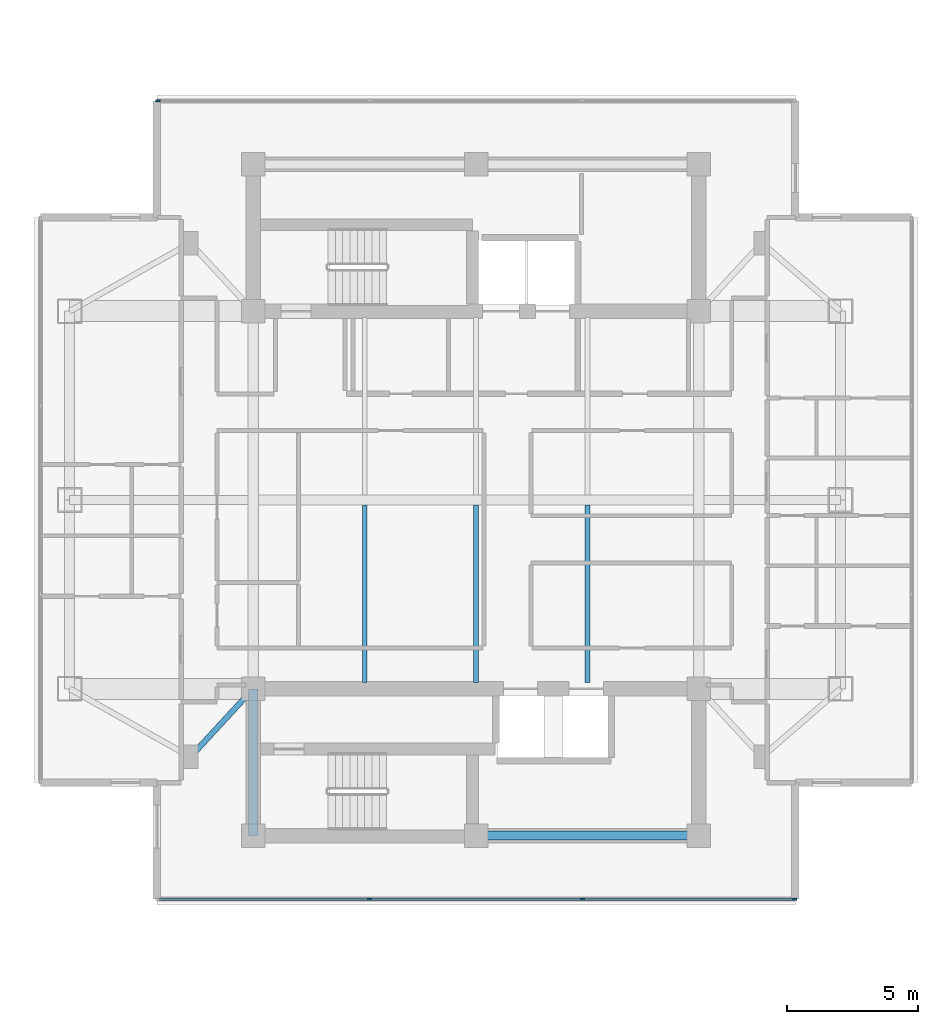
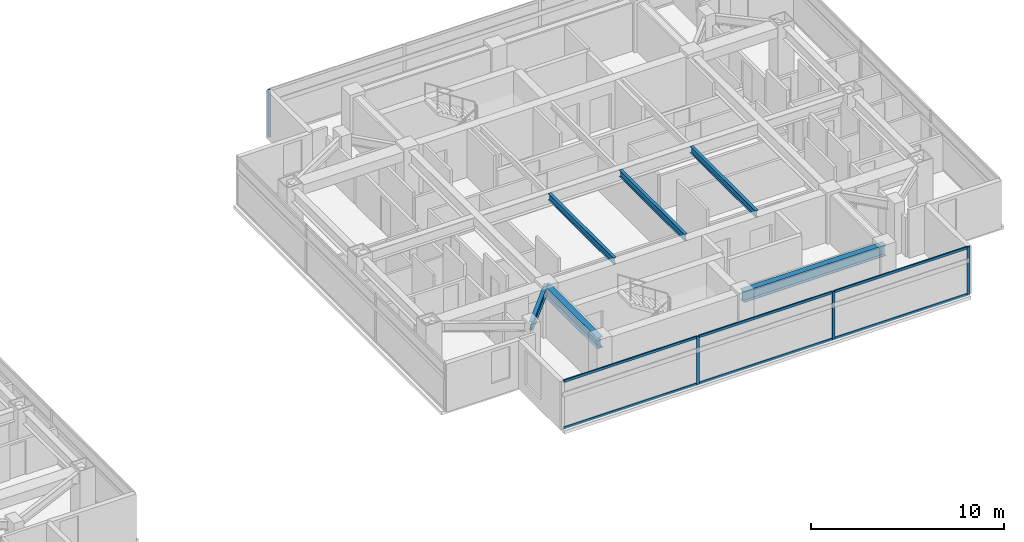
# One storey, part 9 of 24: 10 members, 6 beams, 2 elements without a shape of their own.
"""IFC4 building model written with IfcOpenShell, lengths in metres."""

from ifc_helpers import new_model, si_unit, direction, frame, origin, origin_2d, place, context, subcontext, project, spatial, rectangle, i_section, extrude, material, material_profile, profile_set, type_object, element, aggregate, save


model = new_model("IFC4")

# Units and contexts
model_context = context("Model", 3, precision=1e-05, world=origin(), true_north=direction((0.0, 1.0)))
body_context = subcontext(model_context, "Body", "Model", "MODEL_VIEW")
ifc_project = project(units=[si_unit("LENGTHUNIT", "METRE"), si_unit("AREAUNIT", "SQUARE_METRE"), si_unit("VOLUMEUNIT", "CUBIC_METRE"), si_unit("PLANEANGLEUNIT", "RADIAN"), si_unit("MASSUNIT", "GRAM", prefix="KILO")], contexts=[model_context])

# Site, building, storey
site_placement = place(None, origin())
site = spatial("IfcSite", under=ifc_project, at=site_placement, CompositionType="ELEMENT")
building_placement = place(site_placement, origin())
building = spatial("IfcBuilding", under=site, at=building_placement, Name="Mirazonda Arch Towers", CompositionType="ELEMENT")
storey_placement = place(building_placement, frame((0.0, 0.0, 186.89990234375)))
storey = spatial("IfcBuildingStorey", under=building, at=storey_placement, Name="L53", CompositionType="ELEMENT", Elevation=186.89990234375)

# Beams
ifc_material_1 = material(Name="Steel ASTM A992 Grade 50", Category="steel")
ifc_material_profile_1 = material_profile(ifc_material_1, i_section(OverallWidth=0.180908203125, OverallDepth=0.4169921875, WebThickness=0.010986328125, FlangeThickness=0.018310546875, at=origin_2d()), Name="W16X57")
ifc_profile_set_1 = profile_set([ifc_material_profile_1], Name="Steel ASTM A992 Grade 50")
beam_type_1 = type_object("IfcBeamType", Name="BM-INT-W16X57", PredefinedType="JOIST", material=ifc_profile_set_1)
for number, where, z_axis, x_axis, name in (
    (1, (72.25, 21.0400390625, 2.841552734375), (0.0, 1.0, 0.0), (-1.0, 0.0, 0.0), "L53 Floor Beam BM-T2-L53-J-722-20"),
    (2, (76.5, 21.0400390625, 2.841552734375), (0.0, 1.0, 0.0), (-1.0, 0.0, 0.0), "L53 Floor Beam BM-T2-L53-J-765-20"),
    (3, (80.75, 21.0400390625, 2.841552734375), (0.0, 1.0, 0.0), (-1.0, 0.0, 0.0), "L53 Floor Beam BM-T2-L53-J-807-20"),
):
    element("IfcBeam", number, at=place(storey_placement, frame(where, z_axis=z_axis, x_axis=x_axis)), inside=storey, type_object=beam_type_1, Name=name, PredefinedType="JOIST", context=body_context, shape_type="SweptSolid", body=[
        extrude(i_section(OverallWidth=0.180908203125, OverallDepth=0.4169921875, WebThickness=0.010986328125, FlangeThickness=0.018310546875, at=origin_2d()), origin(), (0.0, 0.0, 1.0), 6.763916015625),
    ])
ifc_material_profile_2 = material_profile(ifc_material_1, i_section(OverallWidth=0.214111328125, OverallDepth=0.549072265625, WebThickness=0.0146484375, FlangeThickness=0.023681640625, at=origin_2d()), Name="W21X93")
ifc_profile_set_2 = profile_set([ifc_material_profile_2], Name="Steel ASTM A992 Grade 50")
beam_type_2 = type_object("IfcBeamType", Name="BM-INT-W21X93", PredefinedType="BEAM", material=ifc_profile_set_2)
beam_1_placement = place(storey_placement, frame((65.60009765625, 18.199951171875, 2.775634765625), z_axis=(0.678251444854, 0.734829897019, 0.0), x_axis=(-0.734829897019, 0.678251444854, 0.0)))
element("IfcBeam", 4, at=beam_1_placement, inside=storey, type_object=beam_type_2, Name="L53 Floor Beam BM-T2-L53-PL-SW1", PredefinedType="BEAM", context=body_context, shape_type="SweptSolid", body=[
    extrude(i_section(OverallWidth=0.214111328125, OverallDepth=0.549072265625, WebThickness=0.0146484375, FlangeThickness=0.023681640625, at=origin_2d()), origin(), (0.0, 0.0, 1.0), 3.538330078125),
])
ifc_material_profile_3 = material_profile(ifc_material_1, i_section(OverallWidth=0.35498046875, OverallDepth=0.696044921875, WebThickness=0.015380859375, FlangeThickness=0.02490234375, at=origin_2d()), Name="W27X146")
ifc_profile_set_3 = profile_set([ifc_material_profile_3], Name="Steel ASTM A992 Grade 50")
beam_type_3 = type_object("IfcBeamType", Name="BM-INT-W27X146", PredefinedType="BEAM", material=ifc_profile_set_3)
beam_2_placement = place(storey_placement, frame((76.5, 15.199951171875, 2.7021484375), z_axis=(1.0, 0.0, 0.0), x_axis=(0.0, 1.0, 0.0)))
element("IfcBeam", 5, at=beam_2_placement, inside=storey, type_object=beam_type_3, Name="L53 Floor Beam BM-T2-L53-CS2", PredefinedType="BEAM", context=body_context, shape_type="SweptSolid", body=[
    extrude(i_section(OverallWidth=0.35498046875, OverallDepth=0.696044921875, WebThickness=0.015380859375, FlangeThickness=0.02490234375, at=origin_2d()), origin(), (0.0, 0.0, 1.0), 8.5),
])
beam_3_placement = place(storey_placement, frame((68.0, 15.199951171875, 2.7021484375), z_axis=(0.0, 1.0, 0.0), x_axis=(-1.0, 0.0, 0.0)))
element("IfcBeam", 6, at=beam_3_placement, inside=storey, type_object=beam_type_3, Name="L53 Floor Beam BM-T2-L53-CSW", PredefinedType="BEAM", context=body_context, shape_type="SweptSolid", body=[
    extrude(i_section(OverallWidth=0.35498046875, OverallDepth=0.696044921875, WebThickness=0.015380859375, FlangeThickness=0.02490234375, at=origin_2d()), origin(), (0.0, 0.0, 1.0), 5.60009765625),
])

# Curtain wall, members
ifc_material_2 = material(Name="Anodised Aluminium and Low-E Glass", Category="aluminium")
curtain_wall_type = type_object("IfcCurtainWallType", Name="CW-RES-UNIT", PredefinedType="NOTDEFINED", material=ifc_material_2)
curtain_wall_1_placement = place(storey_placement, origin())
curtain_wall_1 = element("IfcCurtainWall", 7, at=curtain_wall_1_placement, inside=storey, type_object=curtain_wall_type, Name="L53 T2 S Facade CW-L53-T2-S", PredefinedType="NOTDEFINED")
ifc_material_3 = material(Name="Anodised Aluminium Alloy", Category="aluminium")
ifc_material_profile_4 = material_profile(ifc_material_3, rectangle(XDim=0.074951171875, YDim=0.175048828125, at=origin_2d()), Name="ALU-MULL-75x175")
ifc_profile_set_4 = profile_set([ifc_material_profile_4], Name="Anodised Aluminium Alloy")
member_type_1 = type_object("IfcMemberType", Name="MULL-CW-RES-UNIT", PredefinedType="MULLION", material=ifc_profile_set_4)
member_1_placement = place(storey_placement, frame((88.63818359375, 12.7783203125, 0.0), z_axis=(0.0, 0.0, 1.0), x_axis=(0.0, -1.0, 0.0)))
member_1 = element("IfcMember", 8, at=member_1_placement, type_object=member_type_1, Name="CW-104 mullion 1", PredefinedType="MULLION", context=body_context, shape_type="SweptSolid", body=[
    extrude(rectangle(XDim=0.074951171875, YDim=0.175048828125, at=origin_2d()), origin(), (0.0, 0.0, 1.0), 3.030029296875),
])
member_2_placement = place(storey_placement, frame((80.55859375, 12.7783203125, 0.0), z_axis=(0.0, 0.0, 1.0), x_axis=(0.0, -1.0, 0.0)))
member_2 = element("IfcMember", 9, at=member_2_placement, type_object=member_type_1, Name="CW-104 mullion 2", PredefinedType="MULLION", context=body_context, shape_type="SweptSolid", body=[
    extrude(rectangle(XDim=0.074951171875, YDim=0.175048828125, at=origin_2d()), origin(), (0.0, 0.0, 1.0), 3.030029296875),
])
member_3_placement = place(storey_placement, frame((72.44140625, 12.7783203125, 0.0), z_axis=(0.0, 0.0, 1.0), x_axis=(0.0, -1.0, 0.0)))
member_3 = element("IfcMember", 10, at=member_3_placement, type_object=member_type_1, Name="CW-104 mullion 3", PredefinedType="MULLION", context=body_context, shape_type="SweptSolid", body=[
    extrude(rectangle(XDim=0.074951171875, YDim=0.175048828125, at=origin_2d()), origin(), (0.0, 0.0, 1.0), 3.030029296875),
])

# Curtain wall, member
curtain_wall_2_placement = place(storey_placement, origin())
curtain_wall_2 = element("IfcCurtainWall", 11, at=curtain_wall_2_placement, inside=storey, type_object=curtain_wall_type, Name="L53 T2 N Facade CW-L53-T2-N", PredefinedType="NOTDEFINED")
member_4_placement = place(storey_placement, frame((64.36181640625, 43.2216796875, 0.0), z_axis=(0.0, 0.0, 1.0), x_axis=(0.0, 1.0, 0.0)))
member_4 = element("IfcMember", 12, at=member_4_placement, type_object=member_type_1, Name="CW-104 mullion 1", PredefinedType="MULLION", context=body_context, shape_type="SweptSolid", body=[
    extrude(rectangle(XDim=0.074951171875, YDim=0.175048828125, at=origin_2d()), origin(), (0.0, 0.0, 1.0), 3.030029296875),
])
aggregate(curtain_wall_2, [member_4])

# Member
ifc_material_profile_5 = material_profile(ifc_material_3, rectangle(XDim=0.074951171875, YDim=0.155029296875, at=origin_2d()), Name="ALU-TRAN-75x155")
ifc_profile_set_5 = profile_set([ifc_material_profile_5], Name="Anodised Aluminium Alloy")
member_type_2 = type_object("IfcMemberType", Name="TRAN-CW-RES-UNIT", PredefinedType="USERDEFINED", material=ifc_profile_set_5)
member_5_placement = place(storey_placement, frame((88.600830078125, 12.7783203125, 0.03759765625), z_axis=(-1.0, 0.0, 0.0), x_axis=(0.0, -1.0, 0.0)))
member_5 = element("IfcMember", 13, at=member_5_placement, type_object=member_type_2, Name="CW-104 transom 1.1", ObjectType="TRANSOM", PredefinedType="USERDEFINED", context=body_context, shape_type="SweptSolid", body=[
    extrude(rectangle(XDim=0.074951171875, YDim=0.155029296875, at=origin_2d()), origin(), (0.0, 0.0, 1.0), 8.004638671875),
])

member_6_placement = place(storey_placement, frame((88.600830078125, 12.7783203125, 2.99267578125), z_axis=(-1.0, 0.0, 0.0), x_axis=(0.0, -1.0, 0.0)))
member_6 = element("IfcMember", 14, at=member_6_placement, type_object=member_type_2, Name="CW-104 transom 1.2", ObjectType="TRANSOM", PredefinedType="USERDEFINED", context=body_context, shape_type="SweptSolid", body=[
    extrude(rectangle(XDim=0.074951171875, YDim=0.155029296875, at=origin_2d()), origin(), (0.0, 0.0, 1.0), 8.004638671875),
])

member_7_placement = place(storey_placement, frame((80.52099609375, 12.7783203125, 0.03759765625), z_axis=(-1.0, 0.0, 0.0), x_axis=(0.0, -1.0, 0.0)))
member_7 = element("IfcMember", 15, at=member_7_placement, type_object=member_type_2, Name="CW-104 transom 2.1", ObjectType="TRANSOM", PredefinedType="USERDEFINED", context=body_context, shape_type="SweptSolid", body=[
    extrude(rectangle(XDim=0.074951171875, YDim=0.155029296875, at=origin_2d()), origin(), (0.0, 0.0, 1.0), 8.0419921875),
])

member_8_placement = place(storey_placement, frame((80.52099609375, 12.7783203125, 2.99267578125), z_axis=(-1.0, 0.0, 0.0), x_axis=(0.0, -1.0, 0.0)))
member_8 = element("IfcMember", 16, at=member_8_placement, type_object=member_type_2, Name="CW-104 transom 2.2", ObjectType="TRANSOM", PredefinedType="USERDEFINED", context=body_context, shape_type="SweptSolid", body=[
    extrude(rectangle(XDim=0.074951171875, YDim=0.155029296875, at=origin_2d()), origin(), (0.0, 0.0, 1.0), 8.0419921875),
])

member_9_placement = place(storey_placement, frame((72.40380859375, 12.7783203125, 0.03759765625), z_axis=(-1.0, 0.0, 0.0), x_axis=(0.0, -1.0, 0.0)))
member_9 = element("IfcMember", 17, at=member_9_placement, type_object=member_type_2, Name="CW-104 transom 3.1", ObjectType="TRANSOM", PredefinedType="USERDEFINED", context=body_context, shape_type="SweptSolid", body=[
    extrude(rectangle(XDim=0.074951171875, YDim=0.155029296875, at=origin_2d()), origin(), (0.0, 0.0, 1.0), 8.004638671875),
])

member_10_placement = place(storey_placement, frame((72.40380859375, 12.7783203125, 2.99267578125), z_axis=(-1.0, 0.0, 0.0), x_axis=(0.0, -1.0, 0.0)))
member_10 = element("IfcMember", 18, at=member_10_placement, type_object=member_type_2, Name="CW-104 transom 3.2", ObjectType="TRANSOM", PredefinedType="USERDEFINED", context=body_context, shape_type="SweptSolid", body=[
    extrude(rectangle(XDim=0.074951171875, YDim=0.155029296875, at=origin_2d()), origin(), (0.0, 0.0, 1.0), 8.004638671875),
])

aggregate(curtain_wall_1, [member_1, member_2, member_3, member_5, member_6, member_7, member_8, member_9, member_10])

save(model, "model.ifc")
